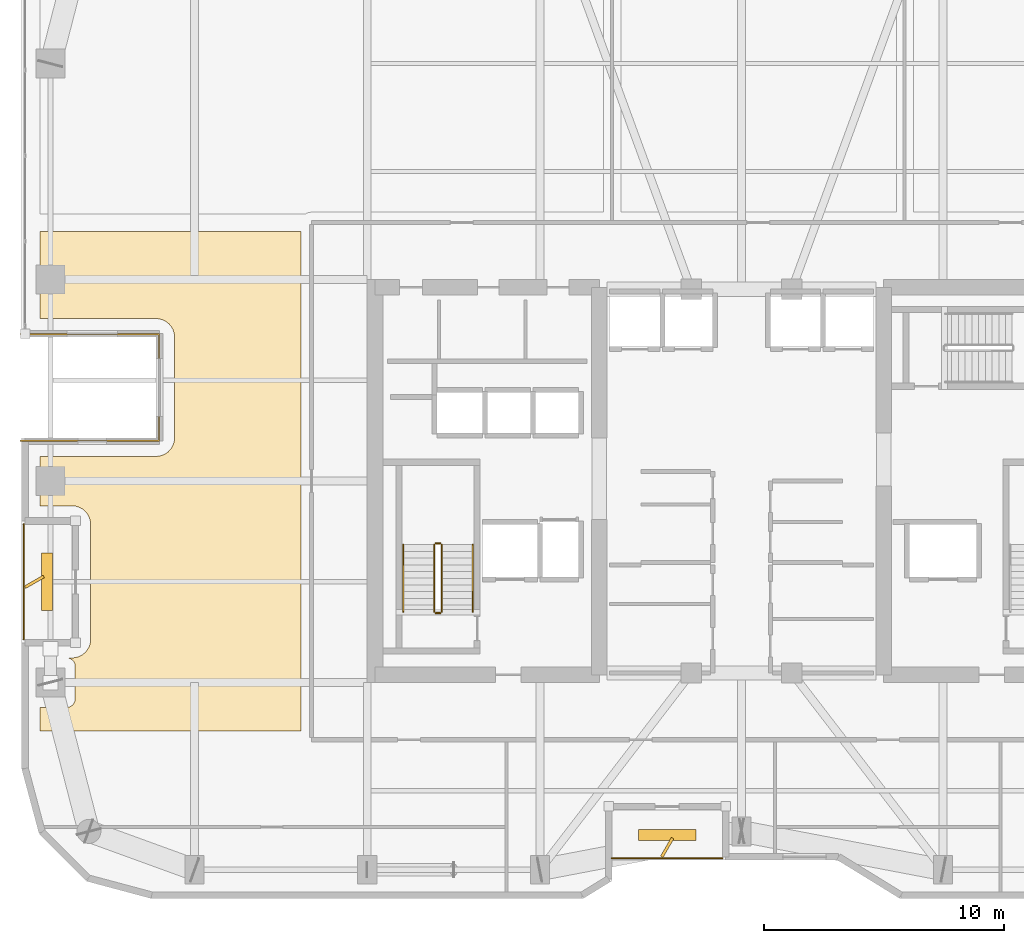
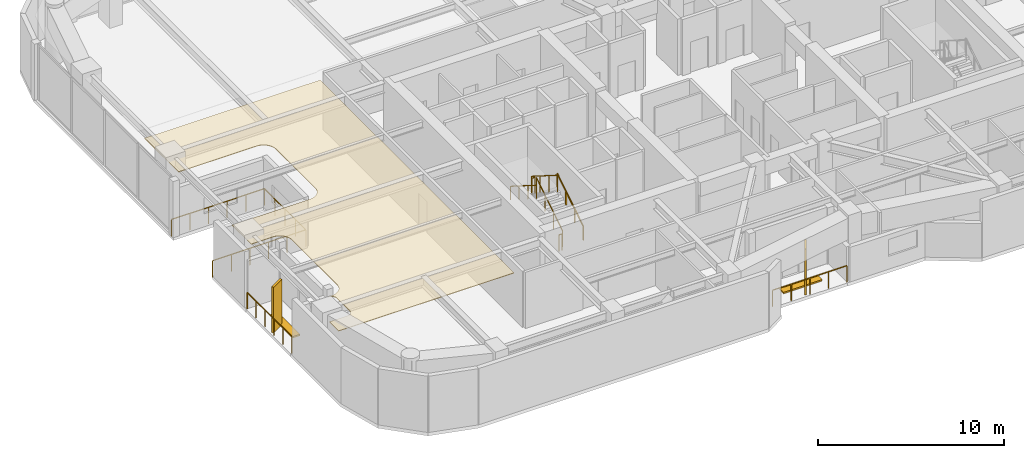
# One storey, part 24 of 26: 9 railings, 4 shading devices, 1 covering.
"""IFC4 building model written with IfcOpenShell, lengths in metres."""

from ifc_helpers import new_model, si_unit, direction, frame, origin, origin_2d, place, context, subcontext, project, spatial, polyline, rectangle, outline, extrude, material, layer, layer_set, type_object, element, save


model = new_model("IFC4")

# Units and contexts
model_context = context("Model", 3, precision=1e-05, world=origin(), true_north=direction((0.0, 1.0)))
body_context = subcontext(model_context, "Body", "Model", "MODEL_VIEW")
ifc_project = project(units=[si_unit("LENGTHUNIT", "METRE"), si_unit("AREAUNIT", "SQUARE_METRE"), si_unit("VOLUMEUNIT", "CUBIC_METRE"), si_unit("PLANEANGLEUNIT", "RADIAN"), si_unit("MASSUNIT", "GRAM", prefix="KILO")], contexts=[model_context])

# Site, building, storey
site_placement = place(None, origin())
site = spatial("IfcSite", under=ifc_project, at=site_placement, CompositionType="ELEMENT")
building_placement = place(site_placement, origin())
building = spatial("IfcBuilding", under=site, at=building_placement, Name="Kiyonajd Concourse Tower", CompositionType="ELEMENT")
storey_placement = place(building_placement, frame((0.0, 0.0, 186.300048828125)))
storey = spatial("IfcBuildingStorey", under=building, at=storey_placement, Name="L47", CompositionType="ELEMENT", Elevation=186.300048828125)

# Covering
ifc_material_1 = material(Name="Natural Oak Acoustic Timber Veneer", Category="wood")
ifc_layer = layer(ifc_material_1, 0.0400390625)
ifc_layer_set = layer_set([ifc_layer], Name="Natural Oak Acoustic Timber Veneer")
covering_type = type_object("IfcCoveringType", Name="CV-CLG-ACST", PredefinedType="CEILING", material=ifc_layer_set)
covering_placement = place(storey_placement, frame((0.0, 0.0, 3.5)))
element("IfcCovering", 1, at=covering_placement, inside=storey, type_object=covering_type, Name="L47-48 Room Acoustic Ceiling", PredefinedType="CEILING", context=body_context, shape_type="SweptSolid", body=[
    extrude(outline(polyline([(18.77001953125, 26.570068359375), (19.8798828125, 26.570068359375), (19.947998046875, 26.576904296875), (20.013916015625, 26.596923828125), (20.10205078125, 26.64892578125), (20.1708984375, 26.72607421875), (20.215087890625, 26.818115234375), (20.22998046875, 26.919921875), (20.22998046875, 28.280029296875), (20.222900390625, 28.347900390625), (20.202880859375, 28.4140625), (20.1708984375, 28.47412109375), (20.10205078125, 28.551025390625), (20.013916015625, 28.60302734375), (19.947998046875, 28.623046875), (19.8798828125, 28.6298828125), (20.10009765625, 28.6298828125), (20.241943359375, 28.64306640625), (20.404052734375, 28.69189453125), (20.5390625, 28.76806640625), (20.656982421875, 28.867919921875), (20.73193359375, 28.9609375), (20.80810546875, 29.095947265625), (20.842041015625, 29.193115234375), (20.85791015625, 29.26708984375), (20.867919921875, 29.35888671875), (20.8701171875, 34.199951171875), (20.85693359375, 34.342041015625), (20.8310546875, 34.43994140625), (20.784912109375, 34.551025390625), (20.717041015625, 34.658935546875), (20.656982421875, 34.73193359375), (20.580078125, 34.802001953125), (20.490966796875, 34.862060546875), (20.37890625, 34.9169921875), (20.241943359375, 34.95703125), (20.10009765625, 34.969970703125), (18.77001953125, 34.969970703125), (18.77001953125, 37.030029296875), (23.60009765625, 37.030029296875), (23.741943359375, 37.04296875), (23.87890625, 37.0830078125), (23.990966796875, 37.137939453125), (24.10107421875, 37.215087890625), (24.201904296875, 37.320068359375), (24.284912109375, 37.448974609375), (24.3310546875, 37.56005859375), (24.35693359375, 37.657958984375), (24.3701171875, 37.800048828125), (24.367919921875, 42.041015625), (24.35791015625, 42.133056640625), (24.3310546875, 42.239990234375), (24.2958984375, 42.327880859375), (24.23193359375, 42.43896484375), (24.132080078125, 42.556884765625), (24.0, 42.656982421875), (23.904052734375, 42.7080078125), (23.840087890625, 42.73095703125), (23.73291015625, 42.758056640625), (23.64111328125, 42.76806640625), (18.77001953125, 42.77001953125), (18.77001953125, 46.409912109375), (29.64501953125, 46.409912109375), (29.64501953125, 25.590087890625), (18.77001953125, 25.590087890625), (18.77001953125, 26.570068359375)])), origin(), (0.0, 0.0, 1.0), 0.0400390625),
])

# Railings
ifc_material_2 = material(Name="Thermally Broken Anodised Aluminium", Category="aluminium")
railing_type_1 = type_object("IfcRailingType", Name="RL-BAL-1100", PredefinedType="BALUSTRADE", material=ifc_material_2)
railing_1_placement = place(storey_placement, frame((17.949951171875, 37.679931640625, 0.0)))
element("IfcRailing", 2, at=railing_1_placement, inside=storey, type_object=railing_type_1, Name="L47 West Ribbon Sky Garden Upper Overlook Balustrade", PredefinedType="BALUSTRADE", context=body_context, shape_type="SweptSolid", body=[
    extrude(rectangle(XDim=0.048095703125, YDim=0.048095703125, at=origin_2d()), frame((0.0, 0.0, 1.09619140625), z_axis=(1.0, 0.0, 0.0), x_axis=(0.0, 1.0, 0.0)), (0.0, 0.0, 1.0), 5.77001953125),
    extrude(rectangle(XDim=0.048095703125, YDim=0.048095703125, at=origin_2d()), frame((5.77001953125, 0.0, 1.09619140625), z_axis=(0.0, 1.0, 0.0), x_axis=(-1.0, 0.0, 0.0)), (0.0, 0.0, 1.0), 4.440185546875),
    extrude(rectangle(XDim=0.048095703125, YDim=0.048095703125, at=origin_2d()), frame((5.77001953125, 4.440185546875, 1.09619140625), z_axis=(-1.0, 0.0, 0.0), x_axis=(0.0, -1.0, 0.0)), (0.0, 0.0, 1.0), 5.77001953125),
    extrude(rectangle(XDim=0.0419921875, YDim=0.0419921875, at=origin_2d()), origin(), (0.0, 0.0, 1.0), 1.072021484375),
    extrude(rectangle(XDim=0.0419921875, YDim=0.0419921875, at=origin_2d()), frame((1.154052734375, 0.0, 0.0)), (0.0, 0.0, 1.0), 1.072021484375),
    extrude(rectangle(XDim=0.0419921875, YDim=0.0419921875, at=origin_2d()), frame((2.30810546875, 0.0, 0.0)), (0.0, 0.0, 1.0), 1.072021484375),
    extrude(rectangle(XDim=0.0419921875, YDim=0.0419921875, at=origin_2d()), frame((3.4619140625, 0.0, 0.0)), (0.0, 0.0, 1.0), 1.072021484375),
    extrude(rectangle(XDim=0.0419921875, YDim=0.0419921875, at=origin_2d()), frame((4.615966796875, 0.0, 0.0)), (0.0, 0.0, 1.0), 1.072021484375),
    extrude(rectangle(XDim=0.0419921875, YDim=0.0419921875, at=origin_2d()), frame((5.77001953125, 0.0, 0.0)), (0.0, 0.0, 1.0), 1.072021484375),
    extrude(rectangle(XDim=0.0419921875, YDim=0.0419921875, at=origin_2d()), frame((5.77001953125, 1.110107421875, 0.0)), (0.0, 0.0, 1.0), 1.072021484375),
    extrude(rectangle(XDim=0.0419921875, YDim=0.0419921875, at=origin_2d()), frame((5.77001953125, 2.22021484375, 0.0)), (0.0, 0.0, 1.0), 1.072021484375),
    extrude(rectangle(XDim=0.0419921875, YDim=0.0419921875, at=origin_2d()), frame((5.77001953125, 3.330078125, 0.0)), (0.0, 0.0, 1.0), 1.072021484375),
    extrude(rectangle(XDim=0.0419921875, YDim=0.0419921875, at=origin_2d()), frame((5.77001953125, 4.440185546875, 0.0)), (0.0, 0.0, 1.0), 1.072021484375),
    extrude(rectangle(XDim=0.0419921875, YDim=0.0419921875, at=origin_2d()), frame((4.615966796875, 4.440185546875, 0.0)), (0.0, 0.0, 1.0), 1.072021484375),
    extrude(rectangle(XDim=0.0419921875, YDim=0.0419921875, at=origin_2d()), frame((3.4619140625, 4.440185546875, 0.0)), (0.0, 0.0, 1.0), 1.072021484375),
    extrude(rectangle(XDim=0.0419921875, YDim=0.0419921875, at=origin_2d()), frame((2.30810546875, 4.440185546875, 0.0)), (0.0, 0.0, 1.0), 1.072021484375),
    extrude(rectangle(XDim=0.0419921875, YDim=0.0419921875, at=origin_2d()), frame((1.154052734375, 4.440185546875, 0.0)), (0.0, 0.0, 1.0), 1.072021484375),
    extrude(rectangle(XDim=0.0419921875, YDim=0.0419921875, at=origin_2d()), frame((0.0, 4.440185546875, 0.0)), (0.0, 0.0, 1.0), 1.072021484375),
])
railing_type_2 = type_object("IfcRailingType", Name="RL-GRD-LOG", PredefinedType="GUARDRAIL", material=ifc_material_2)
railing_2_placement = place(storey_placement, frame((42.60009765625, 20.280029296875, 0.0)))
element("IfcRailing", 3, at=railing_2_placement, inside=storey, type_object=railing_type_2, Name="L47 Engawa Loggia Perimeter Guard LOG-S", PredefinedType="GUARDRAIL", context=body_context, shape_type="SweptSolid", body=[
    extrude(rectangle(XDim=0.048095703125, YDim=0.048095703125, at=origin_2d()), frame((0.0, 0.0, 1.076171875), z_axis=(1.0, 0.0, 0.0), x_axis=(0.0, 1.0, 0.0)), (0.0, 0.0, 1.0), 4.599853515625),
    extrude(rectangle(XDim=0.0419921875, YDim=0.0419921875, at=origin_2d()), origin(), (0.0, 0.0, 1.0), 1.052001953125),
    extrude(rectangle(XDim=0.0419921875, YDim=0.0419921875, at=origin_2d()), frame((1.14990234375, 0.0, 0.0)), (0.0, 0.0, 1.0), 1.052001953125),
    extrude(rectangle(XDim=0.0419921875, YDim=0.0419921875, at=origin_2d()), frame((2.2998046875, 0.0, 0.0)), (0.0, 0.0, 1.0), 1.052001953125),
    extrude(rectangle(XDim=0.0419921875, YDim=0.0419921875, at=origin_2d()), frame((3.449951171875, 0.0, 0.0)), (0.0, 0.0, 1.0), 1.052001953125),
    extrude(rectangle(XDim=0.0419921875, YDim=0.0419921875, at=origin_2d()), frame((4.599853515625, 0.0, 0.0)), (0.0, 0.0, 1.0), 1.052001953125),
])
railing_3_placement = place(storey_placement, frame((18.080078125, 34.199951171875, 0.0)))
element("IfcRailing", 4, at=railing_3_placement, inside=storey, type_object=railing_type_2, Name="L47 Engawa Loggia Perimeter Guard LOG-W", PredefinedType="GUARDRAIL", context=body_context, shape_type="SweptSolid", body=[
    extrude(rectangle(XDim=0.048095703125, YDim=0.048095703125, at=origin_2d()), frame((0.0, 0.0, 1.076171875), z_axis=(0.0, -1.0, 0.0), x_axis=(1.0, 0.0, 0.0)), (0.0, 0.0, 1.0), 4.800048828125),
    extrude(rectangle(XDim=0.0419921875, YDim=0.0419921875, at=origin_2d()), origin(), (0.0, 0.0, 1.0), 1.052001953125),
    extrude(rectangle(XDim=0.0419921875, YDim=0.0419921875, at=origin_2d()), frame((0.0, -0.9599609375, 0.0)), (0.0, 0.0, 1.0), 1.052001953125),
    extrude(rectangle(XDim=0.0419921875, YDim=0.0419921875, at=origin_2d()), frame((0.0, -1.919921875, 0.0)), (0.0, 0.0, 1.0), 1.052001953125),
    extrude(rectangle(XDim=0.0419921875, YDim=0.0419921875, at=origin_2d()), frame((0.0, -2.880126953125, 0.0)), (0.0, 0.0, 1.0), 1.052001953125),
    extrude(rectangle(XDim=0.0419921875, YDim=0.0419921875, at=origin_2d()), frame((0.0, -3.840087890625, 0.0)), (0.0, 0.0, 1.0), 1.052001953125),
    extrude(rectangle(XDim=0.0419921875, YDim=0.0419921875, at=origin_2d()), frame((0.0, -4.800048828125, 0.0)), (0.0, 0.0, 1.0), 1.052001953125),
])
ifc_material_3 = material(Name="Steel ASTM A500 Grade C", Category="steel")
railing_type_3 = type_object("IfcRailingType", Name="RL-GRD-STR", PredefinedType="GUARDRAIL", material=ifc_material_3)
railing_4_placement = place(storey_placement, frame((35.5, 30.550048828125, 0.17724609375)))
element("IfcRailing", 5, at=railing_4_placement, inside=storey, type_object=railing_type_3, Name="L47 ST1 stair guard 1", PredefinedType="GUARDRAIL", context=body_context, shape_type="SweptSolid", body=[
    extrude(rectangle(XDim=0.048095703125, YDim=0.048095703125, at=origin_2d()), frame((0.0, 0.0, 1.076171875), z_axis=(0.0, 0.844908973607, 0.534910110503), x_axis=(-1.0, 0.0, 0.0)), (0.0, 0.0, 1.0), 3.31396484375),
    extrude(rectangle(XDim=0.0419921875, YDim=0.0419921875, at=origin_2d()), origin(), (0.0, 0.0, 1.0), 1.052001953125),
    extrude(rectangle(XDim=0.0419921875, YDim=0.0419921875, at=origin_2d()), frame((0.0, 0.933349609375, 0.5908203125)), (0.0, 0.0, 1.0), 1.052001953125),
    extrude(rectangle(XDim=0.0419921875, YDim=0.0419921875, at=origin_2d()), frame((0.0, 1.86669921875, 1.181884765625)), (0.0, 0.0, 1.0), 1.052001953125),
    extrude(rectangle(XDim=0.0419921875, YDim=0.0419921875, at=origin_2d()), frame((0.0, 2.800048828125, 1.772705078125)), (0.0, 0.0, 1.0), 1.052001953125),
])
railing_5_placement = place(storey_placement, frame((35.449951171875, 33.39990234375, 1.949951171875)))
element("IfcRailing", 6, at=railing_5_placement, inside=storey, type_object=railing_type_3, Name="L47 ST1 stair guard 2", PredefinedType="GUARDRAIL", context=body_context, shape_type="SweptSolid", body=[
    extrude(rectangle(XDim=0.048095703125, YDim=0.048095703125, at=origin_2d()), frame((0.0, 0.0, 1.076171875), z_axis=(-1.0, 0.0, 0.0), x_axis=(0.0, -1.0, 0.0)), (0.0, 0.0, 1.0), 0.199951171875),
    extrude(rectangle(XDim=0.0419921875, YDim=0.0419921875, at=origin_2d()), origin(), (0.0, 0.0, 1.0), 1.052001953125),
    extrude(rectangle(XDim=0.0419921875, YDim=0.0419921875, at=origin_2d()), frame((-0.199951171875, 0.0, 0.0)), (0.0, 0.0, 1.0), 1.052001953125),
])
railing_6_placement = place(storey_placement, frame((35.199951171875, 33.35009765625, 2.127197265625)))
element("IfcRailing", 7, at=railing_6_placement, inside=storey, type_object=railing_type_3, Name="L47 ST1 stair guard 3", PredefinedType="GUARDRAIL", context=body_context, shape_type="SweptSolid", body=[
    extrude(rectangle(XDim=0.048095703125, YDim=0.048095703125, at=origin_2d()), frame((0.0, 0.0, 1.076171875), z_axis=(0.0, -0.844908973607, 0.534910110503), x_axis=(1.0, 0.0, 0.0)), (0.0, 0.0, 1.0), 3.31396484375),
    extrude(rectangle(XDim=0.0419921875, YDim=0.0419921875, at=origin_2d()), origin(), (0.0, 0.0, 1.0), 1.052001953125),
    extrude(rectangle(XDim=0.0419921875, YDim=0.0419921875, at=origin_2d()), frame((0.0, -0.933349609375, 0.5908203125)), (0.0, 0.0, 1.0), 1.052001953125),
    extrude(rectangle(XDim=0.0419921875, YDim=0.0419921875, at=origin_2d()), frame((0.0, -1.86669921875, 1.181884765625)), (0.0, 0.0, 1.0), 1.052001953125),
    extrude(rectangle(XDim=0.0419921875, YDim=0.0419921875, at=origin_2d()), frame((0.0, -2.800048828125, 1.772705078125)), (0.0, 0.0, 1.0), 1.052001953125),
])
railing_7_placement = place(storey_placement, frame((35.449951171875, 30.5, 0.0)))
element("IfcRailing", 8, at=railing_7_placement, inside=storey, type_object=railing_type_3, Name="L47 ST1 stair guard 4", PredefinedType="GUARDRAIL", context=body_context, shape_type="SweptSolid", body=[
    extrude(rectangle(XDim=0.048095703125, YDim=0.048095703125, at=origin_2d()), frame((0.0, 0.0, 1.076171875), z_axis=(-1.0, 0.0, 0.0), x_axis=(0.0, -1.0, 0.0)), (0.0, 0.0, 1.0), 0.199951171875),
    extrude(rectangle(XDim=0.0419921875, YDim=0.0419921875, at=origin_2d()), origin(), (0.0, 0.0, 1.0), 1.052001953125),
    extrude(rectangle(XDim=0.0419921875, YDim=0.0419921875, at=origin_2d()), frame((-0.199951171875, 0.0, 0.0)), (0.0, 0.0, 1.0), 1.052001953125),
])
ifc_material_4 = material(Name="Brushed Stainless Steel Cab Assembly", Category="steel")
railing_type_4 = type_object("IfcRailingType", Name="RL-HND-900", PredefinedType="HANDRAIL", material=ifc_material_4)
railing_8_placement = place(storey_placement, frame((36.800048828125, 30.550048828125, 0.17724609375)))
element("IfcRailing", 9, at=railing_8_placement, inside=storey, type_object=railing_type_4, Name="L47 ST1 stair handrail 1", PredefinedType="HANDRAIL", context=body_context, shape_type="SweptSolid", body=[
    extrude(rectangle(XDim=0.048095703125, YDim=0.048095703125, at=origin_2d()), frame((0.0, 0.0, 0.8759765625), z_axis=(0.0, 0.844908973607, 0.534910110503), x_axis=(-1.0, 0.0, 0.0)), (0.0, 0.0, 1.0), 3.31396484375),
    extrude(rectangle(XDim=0.0419921875, YDim=0.0419921875, at=origin_2d()), origin(), (0.0, 0.0, 1.0), 0.851806640625),
    extrude(rectangle(XDim=0.0419921875, YDim=0.0419921875, at=origin_2d()), frame((0.0, 0.933349609375, 0.5908203125)), (0.0, 0.0, 1.0), 0.851806640625),
    extrude(rectangle(XDim=0.0419921875, YDim=0.0419921875, at=origin_2d()), frame((0.0, 1.86669921875, 1.181884765625)), (0.0, 0.0, 1.0), 0.851806640625),
    extrude(rectangle(XDim=0.0419921875, YDim=0.0419921875, at=origin_2d()), frame((0.0, 2.800048828125, 1.772705078125)), (0.0, 0.0, 1.0), 0.851806640625),
])
railing_9_placement = place(storey_placement, frame((33.89990234375, 33.35009765625, 2.127197265625)))
element("IfcRailing", 10, at=railing_9_placement, inside=storey, type_object=railing_type_4, Name="L47 ST1 stair handrail 2", PredefinedType="HANDRAIL", context=body_context, shape_type="SweptSolid", body=[
    extrude(rectangle(XDim=0.048095703125, YDim=0.048095703125, at=origin_2d()), frame((0.0, 0.0, 0.8759765625), z_axis=(0.0, -0.844908973607, 0.534910110503), x_axis=(1.0, 0.0, 0.0)), (0.0, 0.0, 1.0), 3.31396484375),
    extrude(rectangle(XDim=0.0419921875, YDim=0.0419921875, at=origin_2d()), origin(), (0.0, 0.0, 1.0), 0.851806640625),
    extrude(rectangle(XDim=0.0419921875, YDim=0.0419921875, at=origin_2d()), frame((0.0, -0.933349609375, 0.5908203125)), (0.0, 0.0, 1.0), 0.851806640625),
    extrude(rectangle(XDim=0.0419921875, YDim=0.0419921875, at=origin_2d()), frame((0.0, -1.86669921875, 1.181884765625)), (0.0, 0.0, 1.0), 0.851806640625),
    extrude(rectangle(XDim=0.0419921875, YDim=0.0419921875, at=origin_2d()), frame((0.0, -2.800048828125, 1.772705078125)), (0.0, 0.0, 1.0), 0.851806640625),
])

# Shading devices
ifc_material_5 = material(Name="Precast concrete C50/60", Category="concrete")
shading_device_type_1 = type_object("IfcShadingDeviceType", Name="SH-FIN-900", PredefinedType="USERDEFINED", material=ifc_material_5)
for number, where, z_axis, x_axis, name in (
    (11, (44.89990234375, 20.72998046875, 0.0), (0.0, 0.0, 1.0), (0.5, 0.866025403784, 0.0), "L47 Angled Koshi Solar Fin LOG-S"),
    (12, (18.530029296875, 31.800048828125, 0.0), (0.0, 0.0, 1.0), (0.866025403784, 0.5, 0.0), "L47 Angled Koshi Solar Fin LOG-W"),
):
    element("IfcShadingDevice", number, at=place(storey_placement, frame(where, z_axis=z_axis, x_axis=x_axis)), inside=storey, type_object=shading_device_type_1, Name=name, ObjectType="FIN", PredefinedType="USERDEFINED", context=body_context, shape_type="SweptSolid", body=[
        extrude(rectangle(XDim=0.89990234375, YDim=0.1201171875, at=origin_2d()), origin(), (0.0, 0.0, 1.0), 3.0),
    ])
shading_device_type_2 = type_object("IfcShadingDeviceType", Name="SH-LVR-600", PredefinedType="JALOUSIE", material=ifc_material_2)
for number, where, z_axis, x_axis, name in (
    (13, (44.89990234375, 21.25, 0.0), (0.0, 0.0, 1.0), (1.0, 0.0, 0.0), "L47 Loggia Threshold Louver LOG-S"),
    (14, (19.050048828125, 31.800048828125, 0.0), (0.0, 0.0, 1.0), (0.0, 1.0, 0.0), "L47 Loggia Threshold Louver LOG-W"),
):
    element("IfcShadingDevice", number, at=place(storey_placement, frame(where, z_axis=z_axis, x_axis=x_axis)), inside=storey, type_object=shading_device_type_2, Name=name, PredefinedType="JALOUSIE", context=body_context, shape_type="SweptSolid", body=[
        extrude(rectangle(XDim=2.39990234375, YDim=0.449951171875, at=origin_2d()), origin(), (0.0, 0.0, 1.0), 0.10009765625),
    ])

save(model, "model.ifc")
